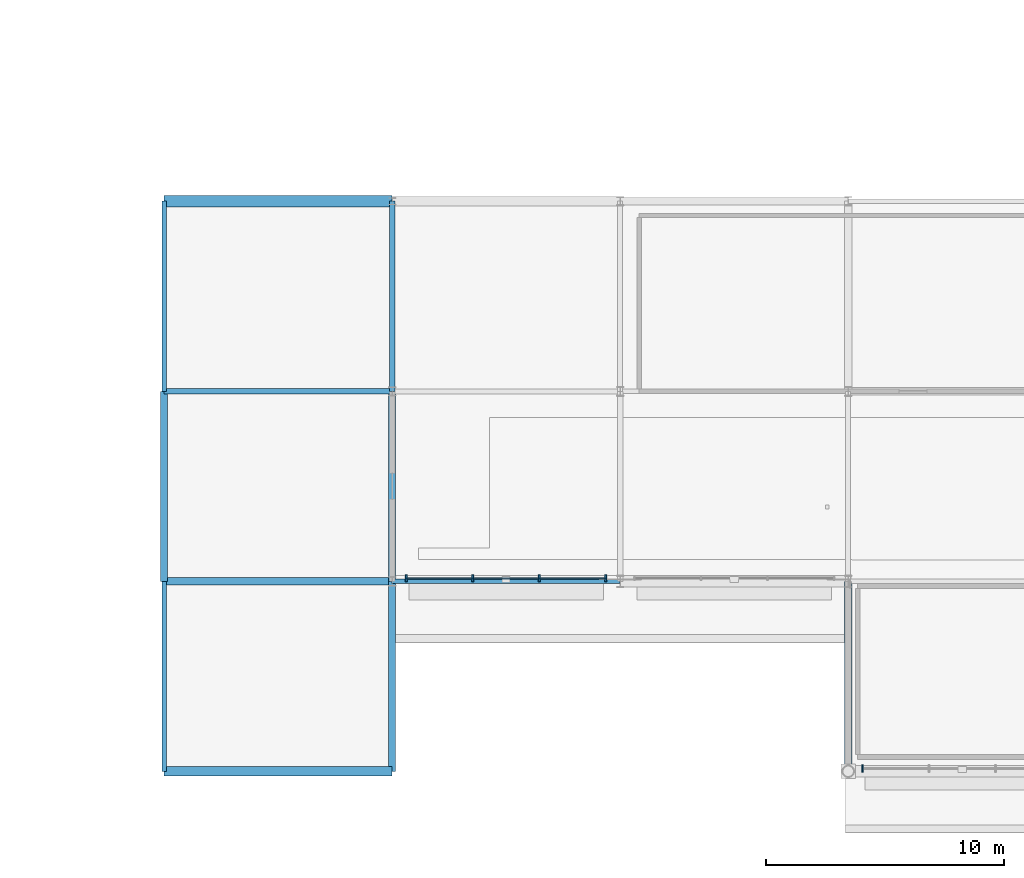
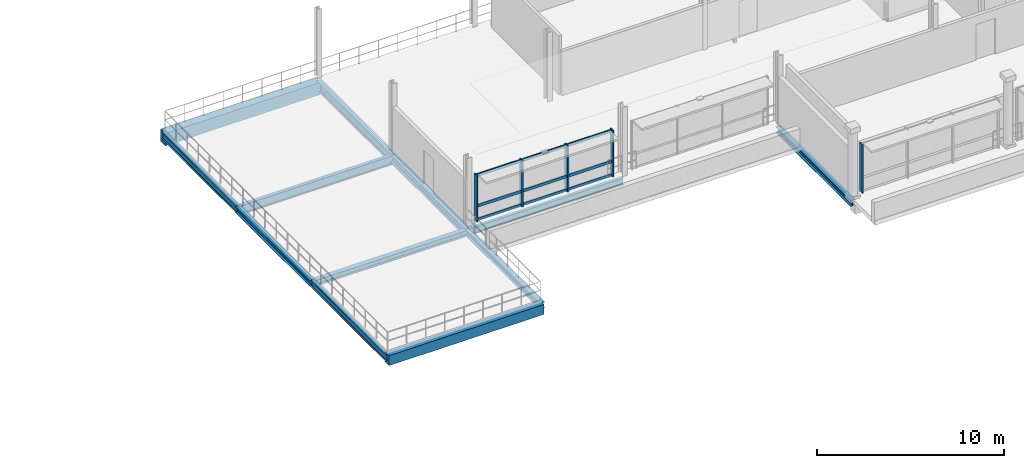
# One storey, part 28 of 59: 12 beams, 8 members, 2 elements without a shape of their own.
"""IFC4 building model written with IfcOpenShell, lengths in metres."""

from ifc_helpers import new_model, si_unit, direction, frame, origin, origin_2d, place, context, subcontext, project, spatial, rectangle, i_section, extrude, material, material_profile, profile_set, type_object, element, aggregate, save


model = new_model("IFC4")

# Units and contexts
model_context = context("Model", 3, precision=1e-05, world=origin(), true_north=direction((0.0, 1.0)))
body_context = subcontext(model_context, "Body", "Model", "MODEL_VIEW")
ifc_project = project(units=[si_unit("LENGTHUNIT", "METRE"), si_unit("AREAUNIT", "SQUARE_METRE"), si_unit("VOLUMEUNIT", "CUBIC_METRE"), si_unit("PLANEANGLEUNIT", "RADIAN"), si_unit("MASSUNIT", "GRAM", prefix="KILO")], contexts=[model_context])

# Site, building, storey
site_placement = place(None, origin())
site = spatial("IfcSite", under=ifc_project, at=site_placement, CompositionType="ELEMENT")
building_placement = place(site_placement, origin())
building = spatial("IfcBuilding", under=site, at=building_placement, Name="Danafjord Basin Convention Centre", CompositionType="ELEMENT")
storey_placement = place(building_placement, frame((0.0, 0.0, 15.89990234375)))
storey = spatial("IfcBuildingStorey", under=building, at=storey_placement, Name="L03", CompositionType="ELEMENT", Elevation=15.89990234375)

# Beams
ifc_material_1 = material(Name="Steel S355", Category="steel")
ifc_material_profile_1 = material_profile(ifc_material_1, i_section(OverallWidth=0.300048828125, OverallDepth=0.389892578125, WebThickness=0.010986328125, FlangeThickness=0.01904296875, FilletRadius=0.027099609375, at=origin_2d()), Name="HEA 400")
ifc_profile_set_1 = profile_set([ifc_material_profile_1], Name="Steel S355")
beam_type_1 = type_object("IfcBeamType", Name="BEAM-BM-HEA400", PredefinedType="BEAM", material=ifc_profile_set_1)
beam_1_placement = place(storey_placement, frame((144.0, 8.0, -0.4208984375), z_axis=(1.0, 0.0, 0.0), x_axis=(0.0, 1.0, 0.0)))
element("IfcBeam", 1, at=beam_1_placement, inside=storey, type_object=beam_type_1, Name="L03 girder BM-HEA400", PredefinedType="BEAM", context=body_context, shape_type="SweptSolid", body=[
    extrude(i_section(OverallWidth=0.300048828125, OverallDepth=0.389892578125, WebThickness=0.010986328125, FlangeThickness=0.01904296875, FilletRadius=0.027099609375, at=origin_2d()), origin(), (0.0, 0.0, 1.0), 9.60009765625),
])
ifc_material_profile_2 = material_profile(ifc_material_1, i_section(OverallWidth=0.300048828125, OverallDepth=0.5, WebThickness=0.014404296875, FlangeThickness=0.028076171875, FilletRadius=0.027099609375, at=origin_2d()), Name="HEB 500")
ifc_profile_set_2 = profile_set([ifc_material_profile_2], Name="Steel S355")
beam_type_2 = type_object("IfcBeamType", Name="BEAM-BM-HEB500", PredefinedType="BEAM", material=ifc_profile_set_2)
beam_2_placement = place(storey_placement, frame((153.60009765625, 8.0, -0.475830078125), z_axis=(0.0, 1.0, 0.0), x_axis=(-1.0, 0.0, 0.0)))
element("IfcBeam", 2, at=beam_2_placement, inside=storey, type_object=beam_type_2, Name="L03 transverse girder BM-HEB500", PredefinedType="BEAM", context=body_context, shape_type="SweptSolid", body=[
    extrude(i_section(OverallWidth=0.300048828125, OverallDepth=0.5, WebThickness=0.014404296875, FlangeThickness=0.028076171875, FilletRadius=0.027099609375, at=origin_2d()), origin(), (0.0, 0.0, 1.0), 8.0),
])
ifc_material_profile_3 = material_profile(ifc_material_1, i_section(OverallWidth=0.219970703125, OverallDepth=0.60009765625, WebThickness=0.011962890625, FlangeThickness=0.01904296875, FilletRadius=0.02392578125, at=origin_2d()), Name="IPE 600")
ifc_profile_set_3 = profile_set([ifc_material_profile_3], Name="Steel S355")
beam_type_3 = type_object("IfcBeamType", Name="BEAM-BM-IPE600", PredefinedType="BEAM", material=ifc_profile_set_3)
beam_3_placement = place(storey_placement, frame((144.0, 16.0, -0.52587890625), z_axis=(1.0, 0.0, 0.0), x_axis=(0.0, 1.0, 0.0)))
element("IfcBeam", 3, at=beam_3_placement, inside=storey, type_object=beam_type_3, Name="L03 girder BM-IPE600", PredefinedType="BEAM", context=body_context, shape_type="SweptSolid", body=[
    extrude(i_section(OverallWidth=0.219970703125, OverallDepth=0.60009765625, WebThickness=0.011962890625, FlangeThickness=0.01904296875, FilletRadius=0.02392578125, at=origin_2d()), origin(), (0.0, 0.0, 1.0), 9.60009765625),
])
beam_4_placement = place(storey_placement, frame((153.60009765625, 16.0, -0.52587890625), z_axis=(0.0, 1.0, 0.0), x_axis=(-1.0, 0.0, 0.0)))
element("IfcBeam", 4, at=beam_4_placement, inside=storey, type_object=beam_type_3, Name="L03 transverse girder BM-IPE600", PredefinedType="BEAM", context=body_context, shape_type="SweptSolid", body=[
    extrude(i_section(OverallWidth=0.219970703125, OverallDepth=0.60009765625, WebThickness=0.011962890625, FlangeThickness=0.01904296875, FilletRadius=0.02392578125, at=origin_2d()), origin(), (0.0, 0.0, 1.0), 8.0),
])
ifc_material_profile_4 = material_profile(ifc_material_1, i_section(OverallWidth=0.300048828125, OverallDepth=0.39990234375, WebThickness=0.013427734375, FlangeThickness=0.02392578125, FilletRadius=0.027099609375, at=origin_2d()), Name="HEB 400")
ifc_profile_set_4 = profile_set([ifc_material_profile_4], Name="Steel S355")
beam_type_4 = type_object("IfcBeamType", Name="BEAM-SP-HEB400", PredefinedType="SPANDREL", material=ifc_profile_set_4)
for number, where, z_axis, x_axis, name in (
    (5, (144.0, 8.0, -0.42578125), (0.0, 1.0, 0.0), (-1.0, 0.0, 0.0), "L03 transverse girder SP-HEB400"),
    (6, (153.60009765625, 0.0, -0.42578125), (0.0, 1.0, 0.0), (-1.0, 0.0, 0.0), "L03 transverse girder SP-HEB400"),
    (7, (172.800048828125, 0.0, -0.423828125), (0.0, 1.0, 0.0), (-1.0, 0.0, 0.0), "L03 transverse girder SP-HEB400"),
):
    element("IfcBeam", number, at=place(storey_placement, frame(where, z_axis=z_axis, x_axis=x_axis)), inside=storey, type_object=beam_type_4, Name=name, PredefinedType="SPANDREL", context=body_context, shape_type="SweptSolid", body=[
        extrude(i_section(OverallWidth=0.300048828125, OverallDepth=0.39990234375, WebThickness=0.013427734375, FlangeThickness=0.02392578125, FilletRadius=0.027099609375, at=origin_2d()), origin(), (0.0, 0.0, 1.0), 8.0),
    ])
ifc_material_profile_5 = material_profile(ifc_material_1, i_section(OverallWidth=0.18994140625, OverallDepth=0.449951171875, WebThickness=0.009521484375, FlangeThickness=0.0146484375, FilletRadius=0.02099609375, at=origin_2d()), Name="IPE 450")
ifc_profile_set_5 = profile_set([ifc_material_profile_5], Name="Steel S355")
beam_type_5 = type_object("IfcBeamType", Name="BEAM-SP-IPE450", PredefinedType="SPANDREL", material=ifc_profile_set_5)
beam_5_placement = place(storey_placement, frame((153.60009765625, 8.0, -0.448974609375), z_axis=(1.0, 0.0, 0.0), x_axis=(0.0, 1.0, 0.0)))
element("IfcBeam", 8, at=beam_5_placement, inside=storey, type_object=beam_type_5, Name="L03 girder SP-IPE450", PredefinedType="SPANDREL", context=body_context, shape_type="SweptSolid", body=[
    extrude(i_section(OverallWidth=0.18994140625, OverallDepth=0.449951171875, WebThickness=0.009521484375, FlangeThickness=0.0146484375, FilletRadius=0.02099609375, at=origin_2d()), origin(), (0.0, 0.0, 1.0), 9.599853515625),
])
for number, where, z_axis, x_axis, name in (
    (9, (144.0, 0.0, -0.450927734375), (0.0, 1.0, 0.0), (-1.0, 0.0, 0.0), "L03 transverse girder SP-IPE450"),
    (10, (144.0, 16.0, -0.450927734375), (0.0, 1.0, 0.0), (-1.0, 0.0, 0.0), "L03 transverse girder SP-IPE450"),
):
    element("IfcBeam", number, at=place(storey_placement, frame(where, z_axis=z_axis, x_axis=x_axis)), inside=storey, type_object=beam_type_5, Name=name, PredefinedType="SPANDREL", context=body_context, shape_type="SweptSolid", body=[
        extrude(i_section(OverallWidth=0.18994140625, OverallDepth=0.449951171875, WebThickness=0.009521484375, FlangeThickness=0.0146484375, FilletRadius=0.02099609375, at=origin_2d()), origin(), (0.0, 0.0, 1.0), 8.0),
    ])
ifc_material_2 = material(Name="Precast concrete C45/55", Category="concrete")
ifc_material_profile_6 = material_profile(ifc_material_2, rectangle(XDim=0.39990234375, YDim=0.64990234375, at=origin_2d()), Name="PCB 400x650")
ifc_profile_set_6 = profile_set([ifc_material_profile_6], Name="Precast concrete C45/55")
beam_type_6 = type_object("IfcBeamType", Name="BEAM-SP-PCB650", PredefinedType="SPANDREL", material=ifc_profile_set_6)
beam_6_placement = place(storey_placement, frame((144.0, 0.0, -0.55078125), z_axis=(1.0, 0.0, 0.0), x_axis=(0.0, 1.0, 0.0)))
element("IfcBeam", 11, at=beam_6_placement, inside=storey, type_object=beam_type_6, Name="L03 girder SP-PCB650", PredefinedType="SPANDREL", context=body_context, shape_type="SweptSolid", body=[
    extrude(rectangle(XDim=0.39990234375, YDim=0.64990234375, at=origin_2d()), origin(), (0.0, 0.0, 1.0), 9.60009765625),
])
ifc_material_profile_7 = material_profile(ifc_material_2, rectangle(XDim=0.5, YDim=0.800048828125, at=origin_2d()), Name="PCB 500x800")
ifc_profile_set_7 = profile_set([ifc_material_profile_7], Name="Precast concrete C45/55")
beam_type_7 = type_object("IfcBeamType", Name="BEAM-SP-PCB800", PredefinedType="SPANDREL", material=ifc_profile_set_7)
beam_7_placement = place(storey_placement, frame((144.0, 24.0, -0.6259765625), z_axis=(1.0, 0.0, 0.0), x_axis=(0.0, 1.0, 0.0)))
element("IfcBeam", 12, at=beam_7_placement, inside=storey, type_object=beam_type_7, Name="L03 girder SP-PCB800", PredefinedType="SPANDREL", context=body_context, shape_type="SweptSolid", body=[
    extrude(rectangle(XDim=0.5, YDim=0.800048828125, at=origin_2d()), origin(), (0.0, 0.0, 1.0), 9.60009765625),
])

# Curtain wall, member
ifc_material_3 = material(Name="Anodised aluminium and triple glazing", Category="aluminium")
curtain_wall_type = type_object("IfcCurtainWallType", Name="CW-CW-HARB", PredefinedType="NOTDEFINED", material=ifc_material_3)
curtain_wall_1_placement = place(storey_placement, origin())
curtain_wall_1 = element("IfcCurtainWall", 13, at=curtain_wall_1_placement, inside=storey, type_object=curtain_wall_type, Name="L03 CW-HARB unitised curtain wall bay 139", PredefinedType="NOTDEFINED")
ifc_material_4 = material(Name="Anodised aluminium EN AW-6060", Category="aluminium")
ifc_material_profile_8 = material_profile(ifc_material_4, rectangle(XDim=0.080078125, YDim=0.300048828125, at=origin_2d()), Name="MULL 80x300")
ifc_profile_set_8 = profile_set([ifc_material_profile_8], Name="Anodised aluminium EN AW-6060")
member_type_1 = type_object("IfcMemberType", Name="MEM-ML-300", PredefinedType="MULLION", material=ifc_profile_set_8)
member_1_placement = place(storey_placement, frame((173.39990234375, 0.1201171875, -0.02490234375), z_axis=(0.0, 0.0, 1.0), x_axis=(1.0, 0.0, 0.0)))
member_1 = element("IfcMember", 14, at=member_1_placement, type_object=member_type_1, Name="CW-L03-139 mullion 1", PredefinedType="MULLION", context=body_context, shape_type="SweptSolid", body=[
    extrude(rectangle(XDim=0.080078125, YDim=0.300048828125, at=origin_2d()), origin(), (0.0, 0.0, 1.0), 3.199951171875),
])
aggregate(curtain_wall_1, [member_1])

# Curtain wall, members
curtain_wall_2_placement = place(storey_placement, origin())
curtain_wall_2 = element("IfcCurtainWall", 15, at=curtain_wall_2_placement, inside=storey, type_object=curtain_wall_type, Name="L03 CW-HARB unitised curtain wall bay 149", PredefinedType="NOTDEFINED")
member_2_placement = place(storey_placement, frame((154.199951171875, 8.1201171875, -0.02490234375), z_axis=(0.0, 0.0, 1.0), x_axis=(1.0, 0.0, 0.0)))
member_2 = element("IfcMember", 16, at=member_2_placement, type_object=member_type_1, Name="CW-L03-149 mullion 1", PredefinedType="MULLION", context=body_context, shape_type="SweptSolid", body=[
    extrude(rectangle(XDim=0.080078125, YDim=0.300048828125, at=origin_2d()), origin(), (0.0, 0.0, 1.0), 3.050048828125),
])
member_3_placement = place(storey_placement, frame((157.0, 8.1201171875, -0.02490234375), z_axis=(0.0, 0.0, 1.0), x_axis=(1.0, 0.0, 0.0)))
member_3 = element("IfcMember", 17, at=member_3_placement, type_object=member_type_1, Name="CW-L03-149 mullion 2", PredefinedType="MULLION", context=body_context, shape_type="SweptSolid", body=[
    extrude(rectangle(XDim=0.080078125, YDim=0.300048828125, at=origin_2d()), origin(), (0.0, 0.0, 1.0), 3.050048828125),
])
member_4_placement = place(storey_placement, frame((159.800048828125, 8.1201171875, -0.02490234375), z_axis=(0.0, 0.0, 1.0), x_axis=(1.0, 0.0, 0.0)))
member_4 = element("IfcMember", 18, at=member_4_placement, type_object=member_type_1, Name="CW-L03-149 mullion 3", PredefinedType="MULLION", context=body_context, shape_type="SweptSolid", body=[
    extrude(rectangle(XDim=0.080078125, YDim=0.300048828125, at=origin_2d()), origin(), (0.0, 0.0, 1.0), 3.050048828125),
])
member_5_placement = place(storey_placement, frame((162.60009765625, 8.1201171875, -0.02490234375), z_axis=(0.0, 0.0, 1.0), x_axis=(1.0, 0.0, 0.0)))
member_5 = element("IfcMember", 19, at=member_5_placement, type_object=member_type_1, Name="CW-L03-149 mullion 4", PredefinedType="MULLION", context=body_context, shape_type="SweptSolid", body=[
    extrude(rectangle(XDim=0.080078125, YDim=0.300048828125, at=origin_2d()), origin(), (0.0, 0.0, 1.0), 3.050048828125),
])
ifc_material_profile_9 = material_profile(ifc_material_4, rectangle(XDim=0.06494140625, YDim=0.18994140625, at=origin_2d()), Name="TRAN 65x190")
ifc_profile_set_9 = profile_set([ifc_material_profile_9], Name="Anodised aluminium EN AW-6060")
member_type_2 = type_object("IfcMemberType", Name="MEM-TR-190", PredefinedType="USERDEFINED", material=ifc_profile_set_9)
member_6_placement = place(storey_placement, frame((154.199951171875, 8.1201171875, 0.06005859375), z_axis=(1.0, 0.0, 0.0), x_axis=(0.0, 1.0, 0.0)))
member_6 = element("IfcMember", 20, at=member_6_placement, type_object=member_type_2, Name="CW-L03-149 transom 1", ObjectType="TRANSOM", PredefinedType="USERDEFINED", context=body_context, shape_type="SweptSolid", body=[
    extrude(rectangle(XDim=0.06494140625, YDim=0.18994140625, at=origin_2d()), origin(), (0.0, 0.0, 1.0), 8.400146484375),
])
member_7_placement = place(storey_placement, frame((154.199951171875, 8.1201171875, 0.9501953125), z_axis=(1.0, 0.0, 0.0), x_axis=(0.0, 1.0, 0.0)))
member_7 = element("IfcMember", 21, at=member_7_placement, type_object=member_type_2, Name="CW-L03-149 transom 2", ObjectType="TRANSOM", PredefinedType="USERDEFINED", context=body_context, shape_type="SweptSolid", body=[
    extrude(rectangle(XDim=0.06494140625, YDim=0.18994140625, at=origin_2d()), origin(), (0.0, 0.0, 1.0), 8.400146484375),
])
member_8_placement = place(storey_placement, frame((154.199951171875, 8.1201171875, 2.955078125), z_axis=(1.0, 0.0, 0.0), x_axis=(0.0, 1.0, 0.0)))
member_8 = element("IfcMember", 22, at=member_8_placement, type_object=member_type_2, Name="CW-L03-149 transom 3", ObjectType="TRANSOM", PredefinedType="USERDEFINED", context=body_context, shape_type="SweptSolid", body=[
    extrude(rectangle(XDim=0.06494140625, YDim=0.18994140625, at=origin_2d()), origin(), (0.0, 0.0, 1.0), 8.400146484375),
])
aggregate(curtain_wall_2, [member_2, member_3, member_4, member_5, member_6, member_7, member_8])

save(model, "model.ifc")
